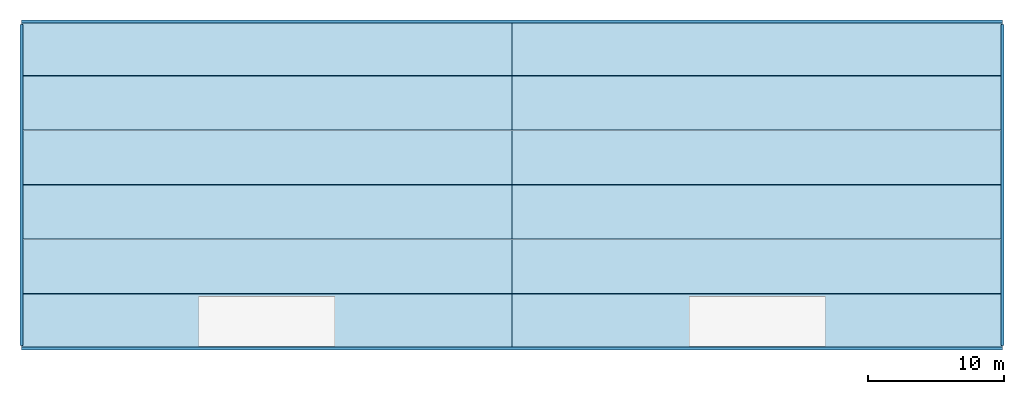
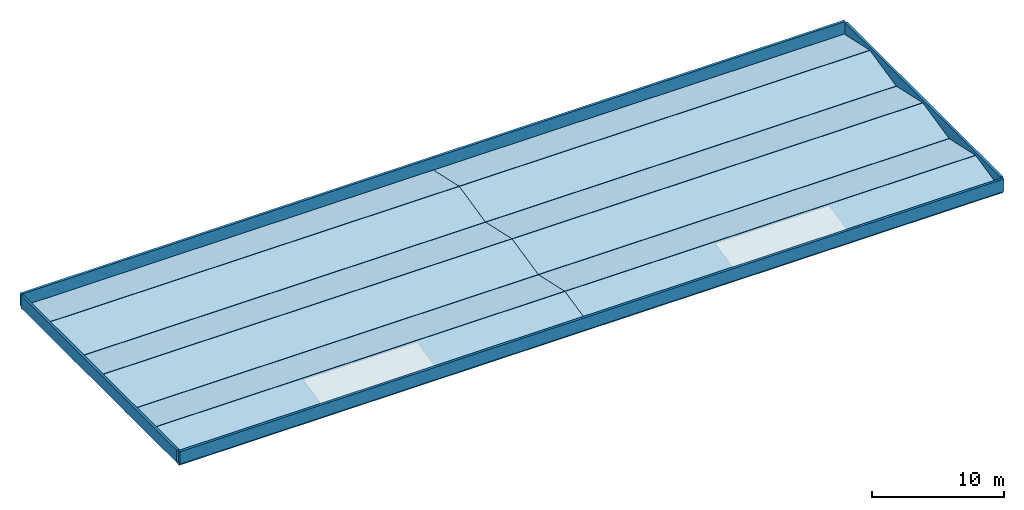
# One storey, part 1 of 2: 12 slabs, 4 walls.
"""IFC4 building model written with IfcOpenShell, lengths in metres."""

import ifcopenshell
import ifcopenshell.guid

model = None  # the IFC model being written
_history = None  # IfcOwnerHistory: only IFC2X3 demands one
_inside = {}  # id of a spatial element -> (the spatial element, [elements in it])
_under = {}  # id of a project, library or spatial element -> (it, [spatial elements below it])
_declared = {}  # id of a project -> (the project, [libraries it declares])
_typed = {}  # id of a type object -> (the type object, [elements of that type])
_made_of = {}  # id of a material, layer set ... -> (it, [elements and type objects made of it])


def new_model(schema):
    """Start an empty IFC model of exactly this schema.

    Asked for "IFC4X3", IfcOpenShell would pick the latest addendum, in which some entities
    have other attributes; the version numbers below select the first issue.
    IFC2X3 requires an IfcOwnerHistory on every rooted entity: one is made here for all.
    """
    global model, _history
    if schema == "IFC4X3":
        model = ifcopenshell.file(schema_version=(4, 3, 0, 0))
    else:
        model = ifcopenshell.file(schema=schema)
    _inside.clear()
    _under.clear()
    _declared.clear()
    _typed.clear()
    _made_of.clear()
    _history = None
    if model.schema == "IFC2X3":
        org = make("IfcOrganization", Name="unknown")
        user = make(
            "IfcPersonAndOrganization",
            ThePerson=make("IfcPerson", FamilyName="unknown"),
            TheOrganization=org,
        )
        app = make(
            "IfcApplication",
            ApplicationDeveloper=org,
            Version="unknown",
            ApplicationFullName="unknown",
            ApplicationIdentifier="unknown",
        )
        _history = make(
            "IfcOwnerHistory",
            OwningUser=user,
            OwningApplication=app,
            ChangeAction="ADDED",
            CreationDate=0,
        )
    return model


def make(cls, **values):
    """One entity of the class cls with the attributes given. An attribute that is None is left unset."""
    return model.create_entity(
        cls, **{name: value for name, value in values.items() if value is not None}
    )


def rooted(cls, **values):
    """An entity with a GlobalId (a new one), such as an element, a storey or a relation."""
    return make(cls, GlobalId=ifcopenshell.guid.new(), OwnerHistory=_history, **values)


def si_unit(unit_type, name, prefix=None):
    """IfcSIUnit, for example si_unit("LENGTHUNIT", "METRE", prefix="MILLI")."""
    return make("IfcSIUnit", UnitType=unit_type, Prefix=prefix, Name=name)


def assignment(units):
    """IfcUnitAssignment: the units of a project."""
    return None if units is None else make("IfcUnitAssignment", Units=units)


def point(xyz):
    """IfcCartesianPoint."""
    return None if xyz is None else make("IfcCartesianPoint", Coordinates=xyz)


def direction(xyz):
    """IfcDirection."""
    return None if xyz is None else make("IfcDirection", DirectionRatios=xyz)


def frame(location, z_axis=None, x_axis=None):
    """IfcAxis2Placement3D, a coordinate frame: its origin and axes. An axis left out is left unset."""
    return make(
        "IfcAxis2Placement3D",
        Location=point(location),
        Axis=direction(z_axis),
        RefDirection=direction(x_axis),
    )


def frame_2d(location, x_axis=None):
    """IfcAxis2Placement2D, a coordinate frame in the plane: its origin and x axis."""
    return make(
        "IfcAxis2Placement2D", Location=point(location), RefDirection=direction(x_axis)
    )


def origin():
    """The frame at (0, 0, 0) with its axes left unset."""
    return frame((0.0, 0.0, 0.0))


def place(relative_to, where):
    """IfcLocalPlacement: puts the frame where relative to a parent placement (None: the world)."""
    return make(
        "IfcLocalPlacement", PlacementRelTo=relative_to, RelativePlacement=where
    )


def context(
    kind, dimensions, precision=None, world=None, true_north=None, identifier=None
):
    """IfcGeometricRepresentationContext, for example the 3D "Model" context."""
    return make(
        "IfcGeometricRepresentationContext",
        ContextIdentifier=identifier,
        ContextType=kind,
        CoordinateSpaceDimension=dimensions,
        Precision=precision,
        WorldCoordinateSystem=world,
        TrueNorth=true_north,
    )


def subcontext(parent, identifier, kind, view, scale=None):
    """IfcGeometricRepresentationSubContext, for example "Body" below "Model"."""
    return make(
        "IfcGeometricRepresentationSubContext",
        ContextIdentifier=identifier,
        ContextType=kind,
        ParentContext=parent,
        TargetScale=scale,
        TargetView=view,
    )


def project(units=None, contexts=None):
    """IfcProject with its units and contexts."""
    return rooted(
        "IfcProject",
        Name="project",
        RepresentationContexts=contexts,
        UnitsInContext=assignment(units),
    )


def spatial(cls, under=None, at=None, **own):
    """A site, building, storey or space (cls), placed at a placement, below another one or the project."""
    s = rooted(cls, ObjectPlacement=at, **own)
    if under is not None:
        _under.setdefault(under.id(), (under, []))[1].append(s)
    return s


def polyline(points):
    """IfcPolyline through the points."""
    return make("IfcPolyline", Points=[point(p) for p in points])


def profile(cls, at=None, kind="AREA", **sizes):
    """A parametric profile (cls). Its sizes go by their IFC names, for example OverallWidth=200.0."""
    return make(cls, ProfileType=kind, Position=at, **sizes)


def rectangle(**sizes):
    """IfcRectangleProfileDef."""
    return profile("IfcRectangleProfileDef", **sizes)


def outline(outer, holes=None, kind="AREA"):
    """IfcArbitraryClosedProfileDef: a profile drawn as a closed curve; with holes, ...WithVoids."""
    if holes is None:
        return make("IfcArbitraryClosedProfileDef", ProfileType=kind, OuterCurve=outer)
    return make(
        "IfcArbitraryProfileDefWithVoids",
        ProfileType=kind,
        OuterCurve=outer,
        InnerCurves=holes,
    )


def extrude(swept, where, along, depth):
    """IfcExtrudedAreaSolid: the profile swept, set in the frame where, extruded along a direction by depth."""
    return make(
        "IfcExtrudedAreaSolid",
        SweptArea=swept,
        Position=where,
        ExtrudedDirection=direction(along),
        Depth=depth,
    )


def shape(context_of_items, identifier, shape_type, items):
    """IfcShapeRepresentation: the items that make up one representation, for example the "Body"."""
    return make(
        "IfcShapeRepresentation",
        ContextOfItems=context_of_items,
        RepresentationIdentifier=identifier,
        RepresentationType=shape_type,
        Items=items,
    )


def material(Name=None, Category=None):
    """IfcMaterial."""
    return make("IfcMaterial", Name=Name, Category=Category)


def layer(
    of_material, thickness, ventilated=None, Name=None, Category=None, Priority=None
):
    """IfcMaterialLayer: one layer of a wall or slab, of a material (None: an air gap)."""
    return make(
        "IfcMaterialLayer",
        Material=of_material,
        LayerThickness=thickness,
        IsVentilated=ventilated,
        Name=Name,
        Category=Category,
        Priority=Priority,
    )


def layer_set(layers, Name=None):
    """IfcMaterialLayerSet."""
    return make("IfcMaterialLayerSet", MaterialLayers=layers, LayerSetName=Name)


def made_of(thing, what):
    """Note that an element or type object is made of a material, layer set ...; save() writes the relation."""
    if what is not None:
        _made_of.setdefault(what.id(), (what, []))[1].append(thing)
    return thing


def type_object(cls, material=None, **own):
    """A type object (cls), such as IfcWallType, which elements share."""
    return made_of(rooted(cls, **own), material)


def element(
    cls,
    number,
    at=None,
    inside=None,
    cuts=None,
    type_object=None,
    material=None,
    context=None,
    identifier="Body",
    shape_type=None,
    held_by="IfcProductDefinitionShape",
    body=None,
    shapes=None,
    **own,
):
    """One element of the class cls, such as IfcWall. Its Tag is "e" and its number.

    at: its placement. inside: the storey or other place that contains it. cuts: it is an
    opening in that element (IfcRelVoidsElement). A single representation is given by context,
    identifier, shape_type and body (its items); several are given by shapes. held_by: the class
    of the entity that holds the representations. save() writes the other relations.
    """
    e = rooted(cls, Tag="e%d" % number, ObjectPlacement=at, **own)
    if body is not None:
        shapes = [shape(context, identifier, shape_type, body)]
    if shapes is not None:
        e.Representation = make(held_by, Representations=shapes)
    if inside is not None:
        _inside.setdefault(inside.id(), (inside, []))[1].append(e)
    if cuts is not None:
        rooted(
            "IfcRelVoidsElement", RelatingBuildingElement=cuts, RelatedOpeningElement=e
        )
    if type_object is not None:
        _typed.setdefault(type_object.id(), (type_object, []))[1].append(e)
    return made_of(e, material)


def aggregate(whole, parts):
    """IfcRelAggregates: a whole, such as a stair, and the parts it consists of."""
    return rooted("IfcRelAggregates", RelatingObject=whole, RelatedObjects=parts)


def save(model, path):
    """Write the relations noted so far, then the file.

    IfcRelAggregates (storeys below a building ...), IfcRelContainedInSpatialStructure (elements
    in a storey), IfcRelDefinesByType, IfcRelAssociatesMaterial and IfcRelDeclares: one each for
    every whole, place, type object, material and project.
    """
    for whole, parts in _under.values():
        aggregate(whole, parts)
    for where, things in _inside.values():
        rooted(
            "IfcRelContainedInSpatialStructure",
            RelatedElements=things,
            RelatingStructure=where,
        )
    for kind, things in _typed.values():
        rooted("IfcRelDefinesByType", RelatedObjects=things, RelatingType=kind)
    for what, things in _made_of.values():
        rooted("IfcRelAssociatesMaterial", RelatedObjects=things, RelatingMaterial=what)
    for by, libraries in _declared.values():
        rooted("IfcRelDeclares", RelatingContext=by, RelatedDefinitions=libraries)
    model.write(path)


model = new_model("IFC4")

# Units and contexts
model_context = context("Model", 3, precision=1e-05, world=origin(), true_north=direction((0.0, 1.0)))
body_context = subcontext(model_context, "Body", "Model", "MODEL_VIEW")
ifc_project = project(units=[si_unit("LENGTHUNIT", "METRE"), si_unit("AREAUNIT", "SQUARE_METRE"), si_unit("VOLUMEUNIT", "CUBIC_METRE"), si_unit("PLANEANGLEUNIT", "RADIAN"), si_unit("MASSUNIT", "GRAM", prefix="KILO")], contexts=[model_context])

# Site, building, storey
site_placement = place(None, origin())
site = spatial("IfcSite", under=ifc_project, at=site_placement, CompositionType="ELEMENT")
building_placement = place(site_placement, origin())
building = spatial("IfcBuilding", under=site, at=building_placement, Name="Girod Span Mobility Hub", CompositionType="ELEMENT")
storey_placement = place(building_placement, frame((0.0, 0.0, 74.199951171875)))
storey = spatial("IfcBuildingStorey", under=building, at=storey_placement, Name="ROOF", CompositionType="ELEMENT", Elevation=74.199951171875)

# Slabs
ifc_material_1 = material(Name="Concrete C40/50", Category="concrete")
ifc_layer_1 = layer(ifc_material_1, 0.219970703125)
ifc_layer_set_1 = layer_set([ifc_layer_1], Name="Concrete C40/50")
slab_type = type_object("IfcSlabType", Name="SL-ROOF-220", PredefinedType="ROOF", material=ifc_layer_set_1)
slab_1_placement = place(storey_placement, frame((48.0, 45.0, 0.0), z_axis=(0.0, -0.215821014994, 0.976432941623), x_axis=(1.0, 0.0, 0.0)))
element("IfcSlab", 1, at=slab_1_placement, inside=storey, type_object=slab_type, Name="Main Insulated Folded Cool Roof West Fold 1", PredefinedType="ROOF", context=body_context, shape_type="SweptSolid", body=[
    extrude(outline(polyline([(0.0, 0.0), (36.0, 0.0), (36.0, 4.0780410246406165), (0.0, 4.0780410246406165), (0.0, 0.0)])), origin(), (0.0, 0.0, -1.0), 0.219970703125),
])
for number, where, z_axis, x_axis, name in (
    (2, (48.0, 49.01806640625, 0.880126953125), (0.0, 0.216758561397, 0.976225243507), (1.0, 0.0, 0.0), "Main Insulated Folded Cool Roof West Fold 2"),
    (3, (48.0, 53.01806640625, 0.0), (0.0, -0.216758561397, 0.976225243507), (1.0, 0.0, 0.0), "Main Insulated Folded Cool Roof West Fold 3"),
    (4, (48.0, 57.01806640625, 0.880126953125), (0.0, 0.216758561397, 0.976225243507), (1.0, 0.0, 0.0), "Main Insulated Folded Cool Roof West Fold 4"),
    (5, (48.0, 61.01806640625, 0.0), (0.0, -0.216758561397, 0.976225243507), (1.0, 0.0, 0.0), "Main Insulated Folded Cool Roof West Fold 5"),
):
    element("IfcSlab", number, at=place(storey_placement, frame(where, z_axis=z_axis, x_axis=x_axis)), inside=storey, type_object=slab_type, Name=name, PredefinedType="ROOF", context=body_context, shape_type="SweptSolid", body=[
        extrude(outline(polyline([(0.0, 0.0), (36.0, 0.0), (36.0, 4.060402262554321), (0.0, 4.060402262554321), (0.0, 0.0)])), origin(), (0.0, 0.0, -1.0), 0.219970703125),
    ])
for number, where, z_axis, x_axis, name in (
    (6, (48.0, 65.01806640625, 0.880126953125), (0.0, 0.215821014994, 0.976432941623), (1.0, 0.0, 0.0), "Main Insulated Folded Cool Roof West Fold 6"),
    (7, (84.0, 45.0, 0.0), (0.0, -0.215821014994, 0.976432941623), (1.0, 0.0, 0.0), "Main Insulated Folded Cool Roof East Fold 1"),
):
    element("IfcSlab", number, at=place(storey_placement, frame(where, z_axis=z_axis, x_axis=x_axis)), inside=storey, type_object=slab_type, Name=name, PredefinedType="ROOF", context=body_context, shape_type="SweptSolid", body=[
        extrude(outline(polyline([(0.0, 0.0), (36.0, 0.0), (36.0, 4.0780410246406165), (0.0, 4.0780410246406165), (0.0, 0.0)])), origin(), (0.0, 0.0, -1.0), 0.219970703125),
    ])
for number, where, z_axis, x_axis, name in (
    (8, (84.0, 49.01806640625, 0.880126953125), (0.0, 0.216758561397, 0.976225243507), (1.0, 0.0, 0.0), "Main Insulated Folded Cool Roof East Fold 2"),
    (9, (84.0, 53.01806640625, 0.0), (0.0, -0.216758561397, 0.976225243507), (1.0, 0.0, 0.0), "Main Insulated Folded Cool Roof East Fold 3"),
    (10, (84.0, 57.01806640625, 0.880126953125), (0.0, 0.216758561397, 0.976225243507), (1.0, 0.0, 0.0), "Main Insulated Folded Cool Roof East Fold 4"),
    (11, (84.0, 61.01806640625, 0.0), (0.0, -0.216758561397, 0.976225243507), (1.0, 0.0, 0.0), "Main Insulated Folded Cool Roof East Fold 5"),
):
    element("IfcSlab", number, at=place(storey_placement, frame(where, z_axis=z_axis, x_axis=x_axis)), inside=storey, type_object=slab_type, Name=name, PredefinedType="ROOF", context=body_context, shape_type="SweptSolid", body=[
        extrude(outline(polyline([(0.0, 0.0), (36.0, 0.0), (36.0, 4.060402262554321), (0.0, 4.060402262554321), (0.0, 0.0)])), origin(), (0.0, 0.0, -1.0), 0.219970703125),
    ])
slab_2_placement = place(storey_placement, frame((84.0, 65.01806640625, 0.880126953125), z_axis=(0.0, 0.215821014994, 0.976432941623), x_axis=(1.0, 0.0, 0.0)))
element("IfcSlab", 12, at=slab_2_placement, inside=storey, type_object=slab_type, Name="Main Insulated Folded Cool Roof East Fold 6", PredefinedType="ROOF", context=body_context, shape_type="SweptSolid", body=[
    extrude(outline(polyline([(0.0, 0.0), (36.0, 0.0), (36.0, 4.0780410246406165), (0.0, 4.0780410246406165), (0.0, 0.0)])), origin(), (0.0, 0.0, -1.0), 0.219970703125),
])

# Walls
ifc_material_2 = material(Name="Precast Architectural Concrete C40/50", Category="concrete")
ifc_layer_2 = layer(ifc_material_2, 0.215087890625)
ifc_layer_set_2 = layer_set([ifc_layer_2], Name="Precast Architectural Concrete C40/50")
wall_type = type_object("IfcWallType", Name="W-PAR-215", PredefinedType="PARAPET", material=ifc_layer_set_2)
for number, where, z_axis, x_axis, name in (
    (13, (48.0, 45.0, 0.0), (0.0, 0.0, 1.0), (1.0, 0.0, 0.0), "Main Roof Perimeter Parapet S"),
    (14, (48.0, 69.0, 0.0), (0.0, 0.0, 1.0), (1.0, 0.0, 0.0), "Main Roof Perimeter Parapet N"),
):
    element("IfcWall", number, at=place(storey_placement, frame(where, z_axis=z_axis, x_axis=x_axis)), inside=storey, type_object=wall_type, Name=name, PredefinedType="PARAPET", context=body_context, shape_type="SweptSolid", body=[
        extrude(rectangle(XDim=72.0, YDim=0.215087890625, at=frame_2d((36.0, 0.0))), origin(), (0.0, 0.0, 1.0), 1.150146484375),
    ])
for number, where, z_axis, x_axis, name in (
    (15, (48.0, 45.219970703125, 0.0), (0.0, 0.0, 1.0), (0.0, 1.0, 0.0), "Main Roof Perimeter Parapet W"),
    (16, (120.0, 45.219970703125, 0.0), (0.0, 0.0, 1.0), (0.0, 1.0, 0.0), "Main Roof Perimeter Parapet E"),
):
    element("IfcWall", number, at=place(storey_placement, frame(where, z_axis=z_axis, x_axis=x_axis)), inside=storey, type_object=wall_type, Name=name, PredefinedType="PARAPET", context=body_context, shape_type="SweptSolid", body=[
        extrude(rectangle(XDim=23.56005859375, YDim=0.215087890625, at=frame_2d((11.780029296875, 0.0))), origin(), (0.0, 0.0, 1.0), 1.150146484375),
    ])

save(model, "model.ifc")
